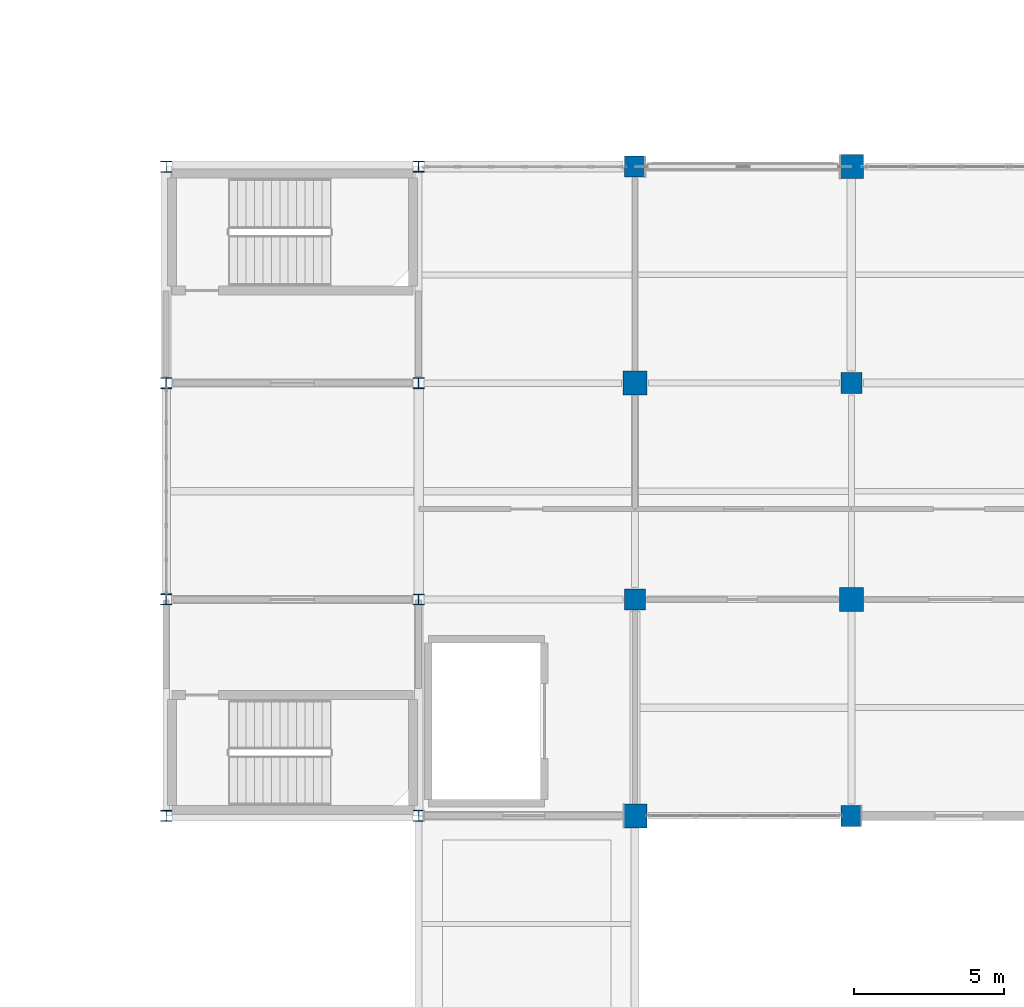
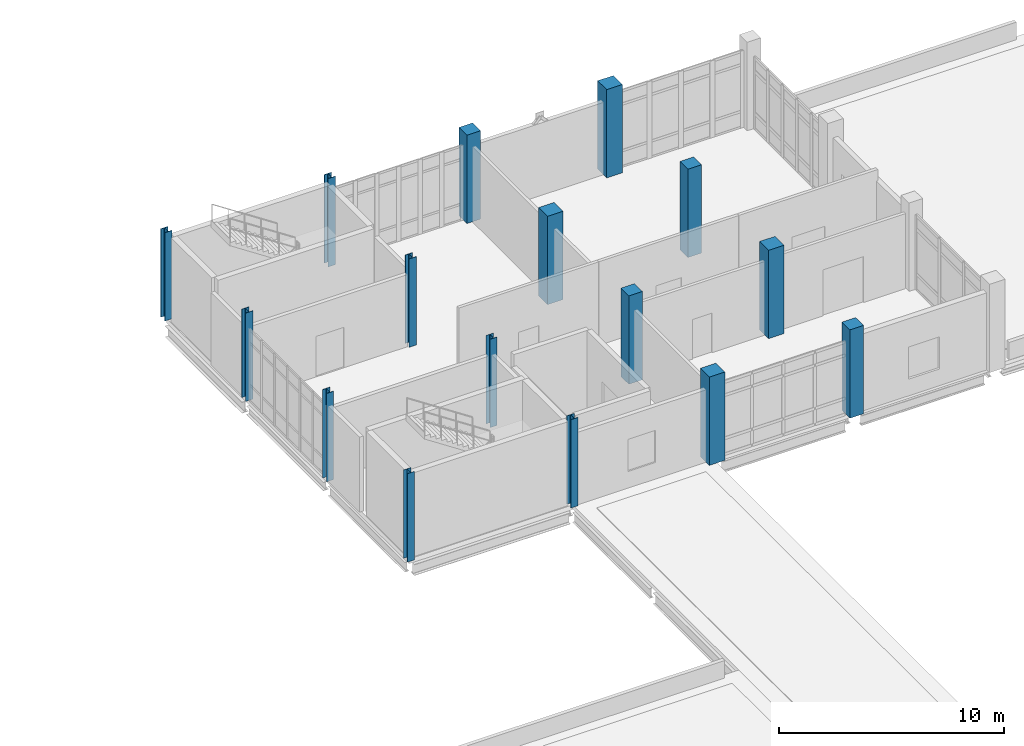
# One storey, part 12 of 153: 16 columns.
"""IFC4 building model written with IfcOpenShell, lengths in metres."""

from ifc_helpers import new_model, si_unit, direction, frame, origin, origin_2d, place, context, subcontext, project, spatial, rectangle, i_section, extrude, material, material_profile, profile_set, type_object, element, save


model = new_model("IFC4")

# Units and contexts
model_context = context("Model", 3, precision=1e-05, world=origin(), true_north=direction((0.0, 1.0)))
body_context = subcontext(model_context, "Body", "Model", "MODEL_VIEW")
ifc_project = project(units=[si_unit("LENGTHUNIT", "METRE"), si_unit("AREAUNIT", "SQUARE_METRE"), si_unit("VOLUMEUNIT", "CUBIC_METRE"), si_unit("PLANEANGLEUNIT", "RADIAN"), si_unit("MASSUNIT", "GRAM", prefix="KILO")], contexts=[model_context])

# Site, building, storey
site_placement = place(None, origin())
site = spatial("IfcSite", under=ifc_project, at=site_placement, CompositionType="ELEMENT")
building_placement = place(site_placement, origin())
building = spatial("IfcBuilding", under=site, at=building_placement, Name="Calvrana Isthmian Art Gallery", CompositionType="ELEMENT")
storey_placement = place(building_placement, frame((0.0, 0.0, 10.199951171875)))
storey = spatial("IfcBuildingStorey", under=building, at=storey_placement, Name="L02", CompositionType="ELEMENT", Elevation=10.199951171875)

# Columns
ifc_material_1 = material(Name="Concrete C40/50", Category="concrete")
ifc_material_profile_1 = material_profile(ifc_material_1, rectangle(XDim=0.699951171875, YDim=0.699951171875, at=origin_2d()), Name="RC700X700")
ifc_profile_set_1 = profile_set([ifc_material_profile_1], Name="Concrete C40/50")
column_type_1 = type_object("IfcColumnType", Name="COL-RC-RC700X700", PredefinedType="COLUMN", material=ifc_profile_set_1)
for number, where, z_axis, x_axis, name in (
    (1, (120.0, 84.0, 0.0), (0.0, 0.0, 1.0), (1.0, 0.0, 0.0), "Column 16/L L02"),
    (2, (120.0, 98.39990234375, 0.0), (0.0, 0.0, 1.0), (1.0, 0.0, 0.0), "Column 16/N L02"),
    (3, (127.199951171875, 76.800048828125, 0.0), (0.0, 0.0, 1.0), (1.0, 0.0, 0.0), "Column 17/K L02"),
    (4, (127.199951171875, 91.199951171875, 0.0), (0.0, 0.0, 1.0), (1.0, 0.0, 0.0), "Column 17/M L02"),
):
    element("IfcColumn", number, at=place(storey_placement, frame(where, z_axis=z_axis, x_axis=x_axis)), inside=storey, type_object=column_type_1, Name=name, PredefinedType="COLUMN", context=body_context, shape_type="SweptSolid", body=[
        extrude(rectangle(XDim=0.699951171875, YDim=0.699951171875, at=origin_2d()), origin(), (0.0, 0.0, 1.0), 4.800048828125),
    ])
ifc_material_profile_2 = material_profile(ifc_material_1, rectangle(XDim=0.800048828125, YDim=0.800048828125, at=origin_2d()), Name="RC800X800")
ifc_profile_set_2 = profile_set([ifc_material_profile_2], Name="Concrete C40/50")
column_type_2 = type_object("IfcColumnType", Name="COL-RC-RC800X800", PredefinedType="COLUMN", material=ifc_profile_set_2)
for number, where, z_axis, x_axis, name in (
    (5, (120.0, 76.800048828125, 0.0), (0.0, 0.0, 1.0), (1.0, 0.0, 0.0), "Column 16/K L02"),
    (6, (120.0, 91.199951171875, 0.0), (0.0, 0.0, 1.0), (1.0, 0.0, 0.0), "Column 16/M L02"),
    (7, (127.199951171875, 84.0, 0.0), (0.0, 0.0, 1.0), (1.0, 0.0, 0.0), "Column 17/L L02"),
    (8, (127.199951171875, 98.39990234375, 0.0), (0.0, 0.0, 1.0), (1.0, 0.0, 0.0), "Column 17/N L02"),
):
    element("IfcColumn", number, at=place(storey_placement, frame(where, z_axis=z_axis, x_axis=x_axis)), inside=storey, type_object=column_type_2, Name=name, PredefinedType="COLUMN", context=body_context, shape_type="SweptSolid", body=[
        extrude(rectangle(XDim=0.800048828125, YDim=0.800048828125, at=origin_2d()), origin(), (0.0, 0.0, 1.0), 4.800048828125),
    ])
ifc_material_2 = material(Name="Steel ASTM A992 Gr 50", Category="steel")
ifc_material_profile_3 = material_profile(ifc_material_2, i_section(OverallWidth=0.37109375, OverallDepth=0.363037109375, WebThickness=0.01318359375, FlangeThickness=0.021728515625, FilletRadius=0.02490234375, at=origin_2d()), Name="W14X109")
ifc_profile_set_3 = profile_set([ifc_material_profile_3], Name="Steel ASTM A992 Gr 50")
column_type_3 = type_object("IfcColumnType", Name="COL-STL-W14X109", PredefinedType="COLUMN", material=ifc_profile_set_3)
for number, where, z_axis, x_axis, name in (
    (9, (104.39990234375, 84.0, 0.0), (0.0, 0.0, 1.0), (1.0, 0.0, 0.0), "Column 14/L L02"),
    (10, (112.800048828125, 91.199951171875, 0.0), (0.0, 0.0, 1.0), (1.0, 0.0, 0.0), "Column 15/M L02"),
):
    element("IfcColumn", number, at=place(storey_placement, frame(where, z_axis=z_axis, x_axis=x_axis)), inside=storey, type_object=column_type_3, Name=name, PredefinedType="COLUMN", context=body_context, shape_type="SweptSolid", body=[
        extrude(i_section(OverallWidth=0.37109375, OverallDepth=0.363037109375, WebThickness=0.01318359375, FlangeThickness=0.021728515625, FilletRadius=0.02490234375, at=origin_2d()), origin(), (0.0, 0.0, 1.0), 4.800048828125),
    ])
ifc_material_profile_4 = material_profile(ifc_material_2, i_section(OverallWidth=0.373046875, OverallDepth=0.367919921875, WebThickness=0.014892578125, FlangeThickness=0.02392578125, FilletRadius=0.02490234375, at=origin_2d()), Name="W14X120")
ifc_profile_set_4 = profile_set([ifc_material_profile_4], Name="Steel ASTM A992 Gr 50")
column_type_4 = type_object("IfcColumnType", Name="COL-STL-W14X120", PredefinedType="COLUMN", material=ifc_profile_set_4)
for number, where, z_axis, x_axis, name in (
    (11, (104.39990234375, 91.199951171875, 0.0), (0.0, 0.0, 1.0), (1.0, 0.0, 0.0), "Column 14/M L02"),
    (12, (112.800048828125, 98.39990234375, 0.0), (0.0, 0.0, 1.0), (1.0, 0.0, 0.0), "Column 15/N L02"),
):
    element("IfcColumn", number, at=place(storey_placement, frame(where, z_axis=z_axis, x_axis=x_axis)), inside=storey, type_object=column_type_4, Name=name, PredefinedType="COLUMN", context=body_context, shape_type="SweptSolid", body=[
        extrude(i_section(OverallWidth=0.373046875, OverallDepth=0.367919921875, WebThickness=0.014892578125, FlangeThickness=0.02392578125, FilletRadius=0.02490234375, at=origin_2d()), origin(), (0.0, 0.0, 1.0), 4.800048828125),
    ])
ifc_material_profile_5 = material_profile(ifc_material_2, i_section(OverallWidth=0.373046875, OverallDepth=0.373046875, WebThickness=0.016357421875, FlangeThickness=0.026123046875, FilletRadius=0.02490234375, at=origin_2d()), Name="W14X132")
ifc_profile_set_5 = profile_set([ifc_material_profile_5], Name="Steel ASTM A992 Gr 50")
column_type_5 = type_object("IfcColumnType", Name="COL-STL-W14X132", PredefinedType="COLUMN", material=ifc_profile_set_5)
for number, where, z_axis, x_axis, name in (
    (13, (104.39990234375, 98.39990234375, 0.0), (0.0, 0.0, 1.0), (1.0, 0.0, 0.0), "Column 14/N L02"),
    (14, (112.800048828125, 76.800048828125, 0.0), (0.0, 0.0, 1.0), (1.0, 0.0, 0.0), "Column 15/K L02"),
):
    element("IfcColumn", number, at=place(storey_placement, frame(where, z_axis=z_axis, x_axis=x_axis)), inside=storey, type_object=column_type_5, Name=name, PredefinedType="COLUMN", context=body_context, shape_type="SweptSolid", body=[
        extrude(i_section(OverallWidth=0.373046875, OverallDepth=0.373046875, WebThickness=0.016357421875, FlangeThickness=0.026123046875, FilletRadius=0.02490234375, at=origin_2d()), origin(), (0.0, 0.0, 1.0), 4.800048828125),
    ])
ifc_material_profile_6 = material_profile(ifc_material_2, i_section(OverallWidth=0.367919921875, OverallDepth=0.35595703125, WebThickness=0.01123046875, FlangeThickness=0.01806640625, FilletRadius=0.02490234375, at=origin_2d()), Name="W14X90")
ifc_profile_set_6 = profile_set([ifc_material_profile_6], Name="Steel ASTM A992 Gr 50")
column_type_6 = type_object("IfcColumnType", Name="COL-STL-W14X90", PredefinedType="COLUMN", material=ifc_profile_set_6)
for number, where, z_axis, x_axis, name in (
    (15, (104.39990234375, 76.800048828125, 0.0), (0.0, 0.0, 1.0), (1.0, 0.0, 0.0), "Column 14/K L02"),
    (16, (112.800048828125, 84.0, 0.0), (0.0, 0.0, 1.0), (1.0, 0.0, 0.0), "Column 15/L L02"),
):
    element("IfcColumn", number, at=place(storey_placement, frame(where, z_axis=z_axis, x_axis=x_axis)), inside=storey, type_object=column_type_6, Name=name, PredefinedType="COLUMN", context=body_context, shape_type="SweptSolid", body=[
        extrude(i_section(OverallWidth=0.367919921875, OverallDepth=0.35595703125, WebThickness=0.01123046875, FlangeThickness=0.01806640625, FilletRadius=0.02490234375, at=origin_2d()), origin(), (0.0, 0.0, 1.0), 4.800048828125),
    ])

save(model, "model.ifc")
